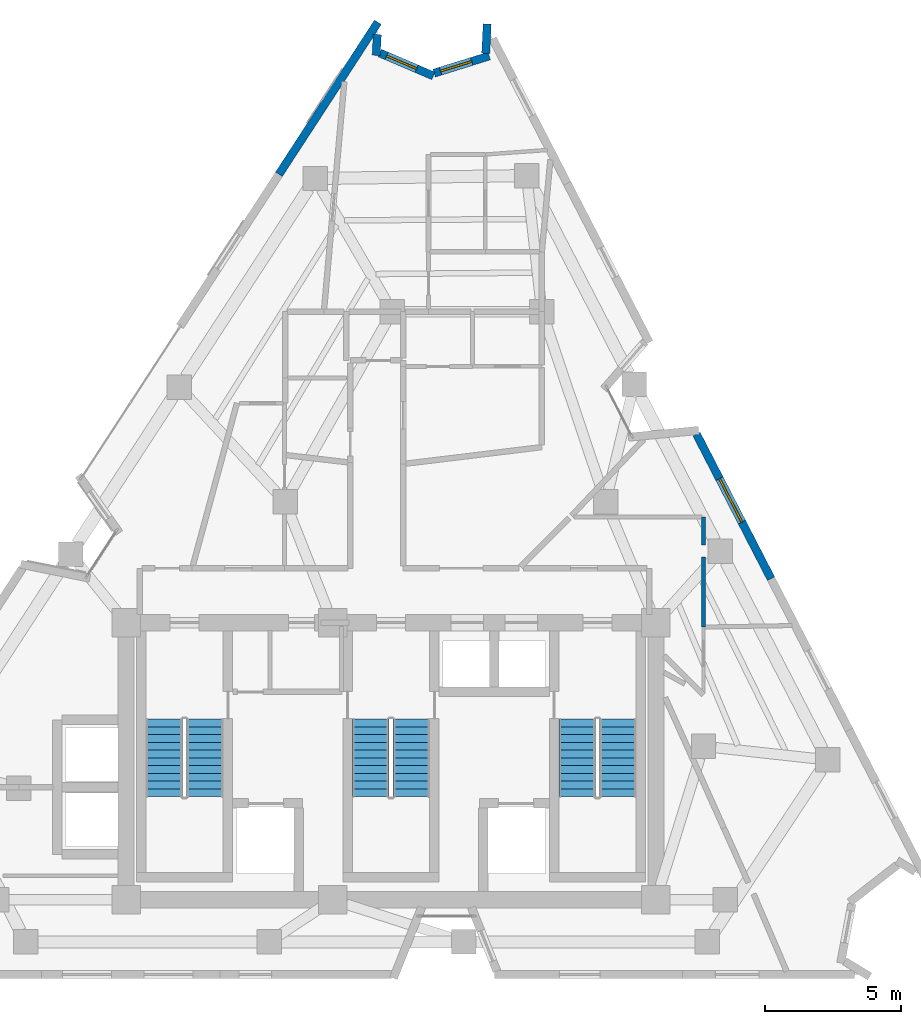
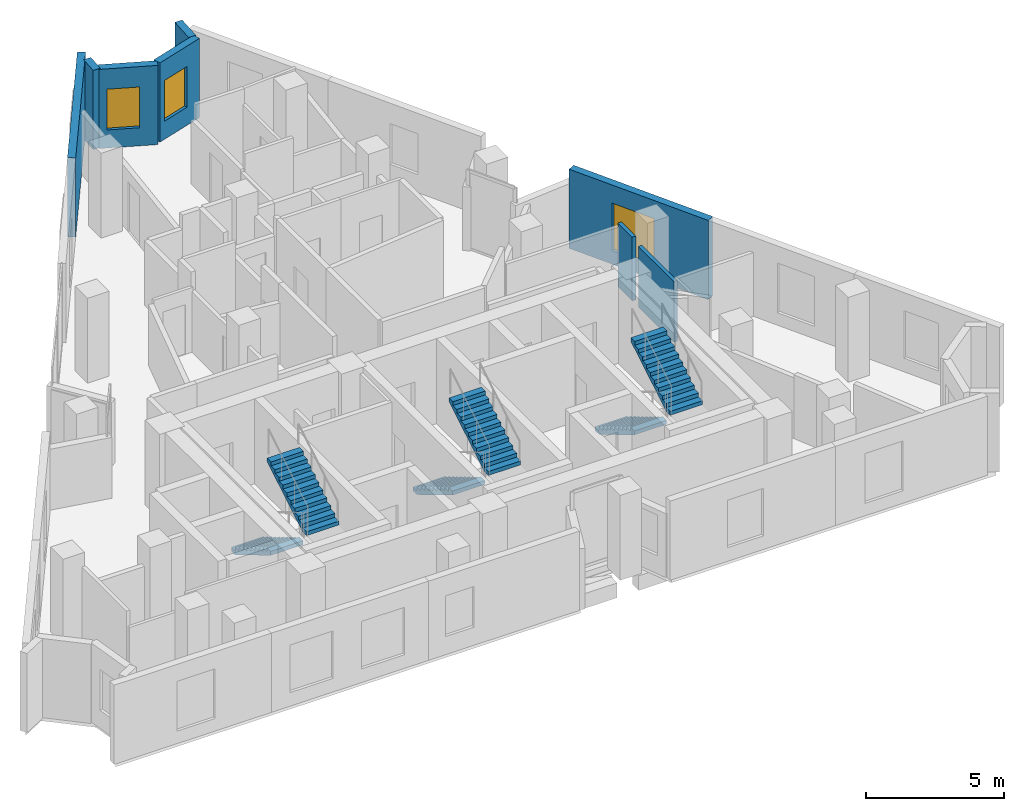
# One storey, part 8 of 9: 8 walls, 6 stair flights, 3 windows, 3 openings, 3 elements without a shape of their own.
"""IFC4 building model written with IfcOpenShell, lengths in metres."""

from ifc_helpers import new_model, si_unit, direction, frame, frame_2d, origin, place, context, subcontext, project, spatial, polyline, rectangle, outline, extrude, material, layer, layer_set, type_object, element, fill, aggregate, save


model = new_model("IFC4")

# Units and contexts
model_context = context("Model", 3, precision=1e-05, world=origin(), true_north=direction((0.0, 1.0)))
body_context = subcontext(model_context, "Body", "Model", "MODEL_VIEW")
ifc_project = project(units=[si_unit("LENGTHUNIT", "METRE"), si_unit("AREAUNIT", "SQUARE_METRE"), si_unit("VOLUMEUNIT", "CUBIC_METRE"), si_unit("PLANEANGLEUNIT", "RADIAN"), si_unit("MASSUNIT", "GRAM", prefix="KILO")], contexts=[model_context])

# Site, building, storey
site_placement = place(None, origin())
site = spatial("IfcSite", under=ifc_project, at=site_placement, CompositionType="ELEMENT")
building_placement = place(site_placement, origin())
building = spatial("IfcBuilding", under=site, at=building_placement, Name="Almagre Mirador Tower", CompositionType="ELEMENT")
storey_placement = place(building_placement, frame((0.0, 0.0, 214.5)))
storey = spatial("IfcBuildingStorey", under=building, at=storey_placement, Name="L55", CompositionType="ELEMENT", Elevation=214.5)

# Walls
ifc_material_1 = material(Name="Precast concrete C50/60", Category="concrete")
ifc_layer_1 = layer(ifc_material_1, 0.300048828125)
ifc_layer_set_1 = layer_set([ifc_layer_1], Name="Precast concrete C50/60")
wall_type_1 = type_object("IfcWallType", Name="WAL-EXT-300", PredefinedType="SOLIDWALL", material=ifc_layer_set_1)
wall_1_placement = place(storey_placement, frame((33.174072265625, 31.2509765625, 0.0), z_axis=(0.0, 0.0, 1.0), x_axis=(0.545624217243, 0.838029959821, 0.0)))
element("IfcWall", 1, at=wall_1_placement, inside=storey, type_object=wall_type_1, Name="L55 expressed almagre precast frame wall 04", PredefinedType="SOLIDWALL", context=body_context, shape_type="SweptSolid", body=[
    extrude(rectangle(XDim=6.6787109375, YDim=0.300048828125, at=frame_2d((3.33935546875, 0.0))), origin(), (0.0, 0.0, 1.0), 3.5),
])
wall_2_placement = place(storey_placement, frame((36.794921875, 36.3935546875, 0.0), z_axis=(0.0, 0.0, 1.0), x_axis=(-0.051035290984, -0.998696850438, 0.0)))
element("IfcWall", 2, at=wall_2_placement, inside=storey, type_object=wall_type_1, Name="L55 expressed almagre precast frame wall 05", PredefinedType="SOLIDWALL", context=body_context, shape_type="SweptSolid", body=[
    extrude(rectangle(XDim=0.765380859375, YDim=0.300048828125, at=frame_2d((0.3828125, 0.0))), origin(), (0.0, 0.0, 1.0), 3.5),
])

# Wall, opening, window
wall_3_placement = place(storey_placement, frame((36.88720703125, 35.7158203125, 0.0), z_axis=(0.0, 0.0, 1.0), x_axis=(0.919567916171, -0.392931097711, 0.0)))
wall_3 = element("IfcWall", 3, at=wall_3_placement, inside=storey, type_object=wall_type_1, Name="L55 expressed almagre precast frame wall 06", PredefinedType="SOLIDWALL", context=body_context, shape_type="SweptSolid", body=[
    extrude(rectangle(XDim=2.147216796875, YDim=0.300048828125, at=frame_2d((1.07373046875, 0.0))), origin(), (0.0, 0.0, 1.0), 3.5),
])
opening_1_placement = place(wall_3_placement, frame((0.27490234375, 0.0, 0.800048828125)))
opening_1 = element("IfcOpeningElement", 4, at=opening_1_placement, cuts=wall_3, Name="Opening WN-04", PredefinedType="OPENING", context=body_context, shape_type="SweptSolid", body=[
    extrude(rectangle(XDim=1.199951171875, YDim=1.800048828125, at=frame_2d((0.60009765625, 0.89990234375))), frame((0.0, 0.159902, 0.0), z_axis=(0.0, -1.0, 0.0), x_axis=(1.0, 0.0, 0.0)), (0.0, 0.0, 1.0), 0.320049),
])
ifc_material_2 = material(Name="Dark solar-control laminated hurricane glass", Category="glass")
window_type_1 = type_object("IfcWindowType", Name="WIN-1200X1800", PartitioningType="SINGLE_PANEL", PredefinedType="WINDOW", material=ifc_material_2)
window_1_placement = place(opening_1_placement, origin())
window_1 = element("IfcWindow", 5, at=window_1_placement, inside=storey, type_object=window_type_1, Name="L55 recessed hurricane window L55-UL-ST", OverallHeight=1.800048828125, OverallWidth=1.199951171875, PartitioningType="SINGLE_PANEL", PredefinedType="WINDOW", context=body_context, shape_type="SweptSolid", body=[
    extrude(rectangle(XDim=1.199951171875, YDim=1.800048828125, at=frame_2d((0.60009765625, 0.89990234375))), frame((0.0, 0.030029296875, 0.0), z_axis=(0.0, -1.0, 0.0), x_axis=(1.0, 0.0, 0.0)), (0.0, 0.0, 1.0), 0.06005859375),
])
fill(opening_1, window_1)

wall_4_placement = place(storey_placement, frame((38.8857421875, 34.974609375, 0.0), z_axis=(0.0, 0.0, 1.0), x_axis=(0.954524975295, 0.298130963736, 0.0)))
wall_4 = element("IfcWall", 6, at=wall_4_placement, inside=storey, type_object=wall_type_1, Name="L55 expressed almagre precast frame wall 07", PredefinedType="SOLIDWALL", context=body_context, shape_type="SweptSolid", body=[
    extrude(rectangle(XDim=2.12353515625, YDim=0.300048828125, at=frame_2d((1.061767578125, 0.0))), origin(), (0.0, 0.0, 1.0), 3.5),
])
opening_2_placement = place(wall_4_placement, frame((0.25, 0.0, 0.800048828125)))
opening_2 = element("IfcOpeningElement", 7, at=opening_2_placement, cuts=wall_4, Name="Opening WN-04", PredefinedType="OPENING", context=body_context, shape_type="SweptSolid", body=[
    extrude(rectangle(XDim=1.199951171875, YDim=1.800048828125, at=frame_2d((0.60009765625, 0.89990234375))), frame((0.0, 0.159902, 0.0), z_axis=(0.0, -1.0, 0.0), x_axis=(1.0, 0.0, 0.0)), (0.0, 0.0, 1.0), 0.320049),
])
window_2_placement = place(opening_2_placement, origin())
window_2 = element("IfcWindow", 8, at=window_2_placement, inside=storey, type_object=window_type_1, Name="L55 recessed hurricane window L55-UL-ST", OverallHeight=1.800048828125, OverallWidth=1.199951171875, PartitioningType="SINGLE_PANEL", PredefinedType="WINDOW", context=body_context, shape_type="SweptSolid", body=[
    extrude(rectangle(XDim=1.199951171875, YDim=1.800048828125, at=frame_2d((0.60009765625, 0.89990234375))), frame((0.0, 0.030029296875, 0.0), z_axis=(0.0, -1.0, 0.0), x_axis=(1.0, 0.0, 0.0)), (0.0, 0.0, 1.0), 0.06005859375),
])
fill(opening_2, window_2)

# Wall
wall_5_placement = place(storey_placement, frame((40.78564453125, 35.700927734375, 0.0), z_axis=(0.0, 0.0, 1.0), x_axis=(0.05016199642, 0.998741094636, 0.0)))
element("IfcWall", 9, at=wall_5_placement, inside=storey, type_object=wall_type_1, Name="L55 expressed almagre precast frame wall 08", PredefinedType="SOLIDWALL", context=body_context, shape_type="SweptSolid", body=[
    extrude(rectangle(XDim=1.08544921875, YDim=0.300048828125, at=frame_2d((0.542724609375, 0.0))), origin(), (0.0, 0.0, 1.0), 3.5),
])

# Wall, opening, window
wall_6_placement = place(storey_placement, frame((48.544189453125, 21.689453125, 0.0), z_axis=(0.0, 0.0, 1.0), x_axis=(0.458305242752, -0.888794860733, 0.0)))
wall_6 = element("IfcWall", 10, at=wall_6_placement, inside=storey, type_object=wall_type_1, Name="L55 expressed almagre precast frame wall 13", PredefinedType="SOLIDWALL", context=body_context, shape_type="SweptSolid", body=[
    extrude(rectangle(XDim=5.986083984375, YDim=0.300048828125, at=frame_2d((2.9931640625, 0.0))), origin(), (0.0, 0.0, 1.0), 3.5),
])
opening_3_placement = place(wall_6_placement, frame((1.844970703125, 0.0, 0.60009765625)))
opening_3 = element("IfcOpeningElement", 11, at=opening_3_placement, cuts=wall_6, Name="Opening WN-01", PredefinedType="OPENING", context=body_context, shape_type="SweptSolid", body=[
    extrude(rectangle(XDim=1.800048828125, YDim=2.10009765625, at=frame_2d((0.89990234375, 1.050048828125))), frame((0.0, 0.159902, 0.0), z_axis=(0.0, -1.0, 0.0), x_axis=(1.0, 0.0, 0.0)), (0.0, 0.0, 1.0), 0.320049),
])
ifc_material_3 = material(Name="Dark solar-control laminated hurricane glass", Category="glass")
window_type_2 = type_object("IfcWindowType", Name="WIN-1800X2100", PartitioningType="DOUBLE_PANEL_VERTICAL", PredefinedType="WINDOW", material=ifc_material_3)
window_3_placement = place(opening_3_placement, origin())
window_3 = element("IfcWindow", 12, at=window_3_placement, inside=storey, type_object=window_type_2, Name="L55 recessed hurricane window L55-UE-BT", OverallHeight=2.10009765625, OverallWidth=1.800048828125, PartitioningType="SINGLE_PANEL", PredefinedType="WINDOW", context=body_context, shape_type="SweptSolid", body=[
    extrude(rectangle(XDim=1.800048828125, YDim=2.10009765625, at=frame_2d((0.89990234375, 1.050048828125))), frame((0.0, 0.030029296875, 0.0), z_axis=(0.0, -1.0, 0.0), x_axis=(1.0, 0.0, 0.0)), (0.0, 0.0, 1.0), 0.06005859375),
])
fill(opening_3, window_3)

# Walls
ifc_material_4 = material(Name="Gypsum acoustic stud partition", Category="other")
ifc_layer_2 = layer(ifc_material_4, 0.14990234375)
ifc_layer_set_2 = layer_set([ifc_layer_2], Name="Gypsum acoustic stud partition")
wall_type_2 = type_object("IfcWallType", Name="WAL-PRT-150-STD", PredefinedType="PARTITIONING", material=ifc_layer_set_2)
wall_7_placement = place(storey_placement, frame((48.800048828125, 17.60009765625, 0.0), z_axis=(0.0, 0.0, 1.0), x_axis=(0.0, 1.0, 0.0)))
element("IfcWall", 13, at=wall_7_placement, inside=storey, type_object=wall_type_2, Name="L55 interior partition 037", PredefinedType="PARTITIONING", context=body_context, shape_type="SweptSolid", body=[
    extrude(rectangle(XDim=1.039794921875, YDim=0.14990234375, at=frame_2d((0.52001953125, 0.0))), origin(), (0.0, 0.0, 1.0), 2.820068359375),
])
wall_8_placement = place(storey_placement, frame((48.800048828125, 14.590087890625, 0.0), z_axis=(0.0, 0.0, 1.0), x_axis=(0.0, 1.0, 0.0)))
element("IfcWall", 14, at=wall_8_placement, inside=storey, type_object=wall_type_2, Name="L55 interior partition 039", PredefinedType="PARTITIONING", context=body_context, shape_type="SweptSolid", body=[
    extrude(rectangle(XDim=2.56982421875, YDim=0.14990234375, at=frame_2d((1.284912109375, 0.0))), origin(), (0.0, 0.0, 1.0), 2.68505859375),
])

# Stair, stair flights
ifc_material_5 = material(Name="Concrete C45/55", Category="concrete")
stair_type = type_object("IfcStairType", Name="STR-DL-3750", PredefinedType="HALF_TURN_STAIR", material=ifc_material_5)
stair_1_placement = place(storey_placement, origin())
stair_1 = element("IfcStair", 15, at=stair_1_placement, inside=storey, type_object=stair_type, Name="L55 Protected exit stair ST-1", PredefinedType="HALF_TURN_STAIR")
ifc_material_6 = material(Name="Concrete C45/55", Category="concrete")
stair_flight_type = type_object("IfcStairFlightType", Name="FLT-DL-3750", PredefinedType="STRAIGHT", material=ifc_material_6)
stair_flight_1_placement = place(storey_placement, frame((28.949951171875, 11.199951171875, 0.0), z_axis=(0.0, 0.0, 1.0), x_axis=(0.0, -1.0, 0.0)))
stair_flight_1 = element("IfcStairFlight", 16, at=stair_flight_1_placement, type_object=stair_flight_type, Name="ST-1 flight 1", NumberOfRisers=11, NumberOfTreads=10, PredefinedType="STRAIGHT", RiserHeight=0.170454545, TreadLength=0.285, context=body_context, shape_type="SweptSolid", body=[
    extrude(outline(polyline([(0.0, 0.0), (0.0, 0.17041015625), (0.284912109375, 0.17041015625), (0.284912109375, 0.3408203125), (0.570068359375, 0.3408203125), (0.570068359375, 0.511474609375), (0.85498046875, 0.511474609375), (0.85498046875, 0.681884765625), (1.139892578125, 0.681884765625), (1.139892578125, 0.852294921875), (1.425048828125, 0.852294921875), (1.425048828125, 1.022705078125), (1.7099609375, 1.022705078125), (1.7099609375, 1.193115234375), (1.9951171875, 1.193115234375), (1.9951171875, 1.363525390625), (2.280029296875, 1.363525390625), (2.280029296875, 1.5341796875), (2.56494140625, 1.5341796875), (2.56494140625, 1.70458984375), (2.85009765625, 1.70458984375), (2.85009765625, 1.875), (2.85009765625, 1.52978515625), (0.2919921875, 0.0), (0.0, 0.0)])), frame((0.0, 0.675048828125, 0.0), z_axis=(0.0, -1.0, 0.0), x_axis=(1.0, 0.0, 0.0)), (0.0, 0.0, 1.0), 1.35009765625),
])
stair_flight_2_placement = place(storey_placement, frame((30.449951171875, 8.35009765625, 1.875), z_axis=(0.0, 0.0, 1.0), x_axis=(0.0, 1.0, 0.0)))
stair_flight_2 = element("IfcStairFlight", 17, at=stair_flight_2_placement, type_object=stair_flight_type, Name="ST-1 flight 2", NumberOfRisers=11, NumberOfTreads=10, PredefinedType="STRAIGHT", RiserHeight=0.170454545, TreadLength=0.285, context=body_context, shape_type="SweptSolid", body=[
    extrude(outline(polyline([(0.0, 0.0), (0.0, 0.17041015625), (0.284912109375, 0.17041015625), (0.284912109375, 0.3408203125), (0.570068359375, 0.3408203125), (0.570068359375, 0.511474609375), (0.85498046875, 0.511474609375), (0.85498046875, 0.681884765625), (1.139892578125, 0.681884765625), (1.139892578125, 0.852294921875), (1.425048828125, 0.852294921875), (1.425048828125, 1.022705078125), (1.7099609375, 1.022705078125), (1.7099609375, 1.193115234375), (1.9951171875, 1.193115234375), (1.9951171875, 1.363525390625), (2.280029296875, 1.363525390625), (2.280029296875, 1.5341796875), (2.56494140625, 1.5341796875), (2.56494140625, 1.70458984375), (2.85009765625, 1.70458984375), (2.85009765625, 1.875), (2.85009765625, 1.52978515625), (0.2919921875, 0.0), (0.0, 0.0)])), frame((0.0, 0.675048828125, 0.0), z_axis=(0.0, -1.0, 0.0), x_axis=(1.0, 0.0, 0.0)), (0.0, 0.0, 1.0), 1.35009765625),
])
aggregate(stair_1, [stair_flight_1, stair_flight_2])

stair_2_placement = place(storey_placement, origin())
stair_2 = element("IfcStair", 18, at=stair_2_placement, inside=storey, type_object=stair_type, Name="L55 Protected exit stair ST-2", PredefinedType="HALF_TURN_STAIR")
stair_flight_3_placement = place(storey_placement, frame((36.550048828125, 11.199951171875, 0.0), z_axis=(0.0, 0.0, 1.0), x_axis=(0.0, -1.0, 0.0)))
stair_flight_3 = element("IfcStairFlight", 19, at=stair_flight_3_placement, type_object=stair_flight_type, Name="ST-2 flight 1", NumberOfRisers=11, NumberOfTreads=10, PredefinedType="STRAIGHT", RiserHeight=0.170454545, TreadLength=0.285, context=body_context, shape_type="SweptSolid", body=[
    extrude(outline(polyline([(0.0, 0.0), (0.0, 0.17041015625), (0.284912109375, 0.17041015625), (0.284912109375, 0.3408203125), (0.570068359375, 0.3408203125), (0.570068359375, 0.511474609375), (0.85498046875, 0.511474609375), (0.85498046875, 0.681884765625), (1.139892578125, 0.681884765625), (1.139892578125, 0.852294921875), (1.425048828125, 0.852294921875), (1.425048828125, 1.022705078125), (1.7099609375, 1.022705078125), (1.7099609375, 1.193115234375), (1.9951171875, 1.193115234375), (1.9951171875, 1.363525390625), (2.280029296875, 1.363525390625), (2.280029296875, 1.5341796875), (2.56494140625, 1.5341796875), (2.56494140625, 1.70458984375), (2.85009765625, 1.70458984375), (2.85009765625, 1.875), (2.85009765625, 1.52978515625), (0.2919921875, 0.0), (0.0, 0.0)])), frame((0.0, 0.675048828125, 0.0), z_axis=(0.0, -1.0, 0.0), x_axis=(1.0, 0.0, 0.0)), (0.0, 0.0, 1.0), 1.35009765625),
])
stair_flight_4_placement = place(storey_placement, frame((38.050048828125, 8.35009765625, 1.875), z_axis=(0.0, 0.0, 1.0), x_axis=(0.0, 1.0, 0.0)))
stair_flight_4 = element("IfcStairFlight", 20, at=stair_flight_4_placement, type_object=stair_flight_type, Name="ST-2 flight 2", NumberOfRisers=11, NumberOfTreads=10, PredefinedType="STRAIGHT", RiserHeight=0.170454545, TreadLength=0.285, context=body_context, shape_type="SweptSolid", body=[
    extrude(outline(polyline([(0.0, 0.0), (0.0, 0.17041015625), (0.284912109375, 0.17041015625), (0.284912109375, 0.3408203125), (0.570068359375, 0.3408203125), (0.570068359375, 0.511474609375), (0.85498046875, 0.511474609375), (0.85498046875, 0.681884765625), (1.139892578125, 0.681884765625), (1.139892578125, 0.852294921875), (1.425048828125, 0.852294921875), (1.425048828125, 1.022705078125), (1.7099609375, 1.022705078125), (1.7099609375, 1.193115234375), (1.9951171875, 1.193115234375), (1.9951171875, 1.363525390625), (2.280029296875, 1.363525390625), (2.280029296875, 1.5341796875), (2.56494140625, 1.5341796875), (2.56494140625, 1.70458984375), (2.85009765625, 1.70458984375), (2.85009765625, 1.875), (2.85009765625, 1.52978515625), (0.2919921875, 0.0), (0.0, 0.0)])), frame((0.0, 0.675048828125, 0.0), z_axis=(0.0, -1.0, 0.0), x_axis=(1.0, 0.0, 0.0)), (0.0, 0.0, 1.0), 1.35009765625),
])
aggregate(stair_2, [stair_flight_3, stair_flight_4])

stair_3_placement = place(storey_placement, origin())
stair_3 = element("IfcStair", 21, at=stair_3_placement, inside=storey, type_object=stair_type, Name="L55 Protected exit stair ST-3", PredefinedType="HALF_TURN_STAIR")
stair_flight_5_placement = place(storey_placement, frame((44.14990234375, 11.199951171875, 0.0), z_axis=(0.0, 0.0, 1.0), x_axis=(0.0, -1.0, 0.0)))
stair_flight_5 = element("IfcStairFlight", 22, at=stair_flight_5_placement, type_object=stair_flight_type, Name="ST-3 flight 1", NumberOfRisers=11, NumberOfTreads=10, PredefinedType="STRAIGHT", RiserHeight=0.170454545, TreadLength=0.285, context=body_context, shape_type="SweptSolid", body=[
    extrude(outline(polyline([(0.0, 0.0), (0.0, 0.17041015625), (0.284912109375, 0.17041015625), (0.284912109375, 0.3408203125), (0.570068359375, 0.3408203125), (0.570068359375, 0.511474609375), (0.85498046875, 0.511474609375), (0.85498046875, 0.681884765625), (1.139892578125, 0.681884765625), (1.139892578125, 0.852294921875), (1.425048828125, 0.852294921875), (1.425048828125, 1.022705078125), (1.7099609375, 1.022705078125), (1.7099609375, 1.193115234375), (1.9951171875, 1.193115234375), (1.9951171875, 1.363525390625), (2.280029296875, 1.363525390625), (2.280029296875, 1.5341796875), (2.56494140625, 1.5341796875), (2.56494140625, 1.70458984375), (2.85009765625, 1.70458984375), (2.85009765625, 1.875), (2.85009765625, 1.52978515625), (0.2919921875, 0.0), (0.0, 0.0)])), frame((0.0, 0.675048828125, 0.0), z_axis=(0.0, -1.0, 0.0), x_axis=(1.0, 0.0, 0.0)), (0.0, 0.0, 1.0), 1.35009765625),
])
stair_flight_6_placement = place(storey_placement, frame((45.64990234375, 8.35009765625, 1.875), z_axis=(0.0, 0.0, 1.0), x_axis=(0.0, 1.0, 0.0)))
stair_flight_6 = element("IfcStairFlight", 23, at=stair_flight_6_placement, type_object=stair_flight_type, Name="ST-3 flight 2", NumberOfRisers=11, NumberOfTreads=10, PredefinedType="STRAIGHT", RiserHeight=0.170454545, TreadLength=0.285, context=body_context, shape_type="SweptSolid", body=[
    extrude(outline(polyline([(0.0, 0.0), (0.0, 0.17041015625), (0.284912109375, 0.17041015625), (0.284912109375, 0.3408203125), (0.570068359375, 0.3408203125), (0.570068359375, 0.511474609375), (0.85498046875, 0.511474609375), (0.85498046875, 0.681884765625), (1.139892578125, 0.681884765625), (1.139892578125, 0.852294921875), (1.425048828125, 0.852294921875), (1.425048828125, 1.022705078125), (1.7099609375, 1.022705078125), (1.7099609375, 1.193115234375), (1.9951171875, 1.193115234375), (1.9951171875, 1.363525390625), (2.280029296875, 1.363525390625), (2.280029296875, 1.5341796875), (2.56494140625, 1.5341796875), (2.56494140625, 1.70458984375), (2.85009765625, 1.70458984375), (2.85009765625, 1.875), (2.85009765625, 1.52978515625), (0.2919921875, 0.0), (0.0, 0.0)])), frame((0.0, 0.675048828125, 0.0), z_axis=(0.0, -1.0, 0.0), x_axis=(1.0, 0.0, 0.0)), (0.0, 0.0, 1.0), 1.35009765625),
])
aggregate(stair_3, [stair_flight_5, stair_flight_6])

save(model, "model.ifc")
